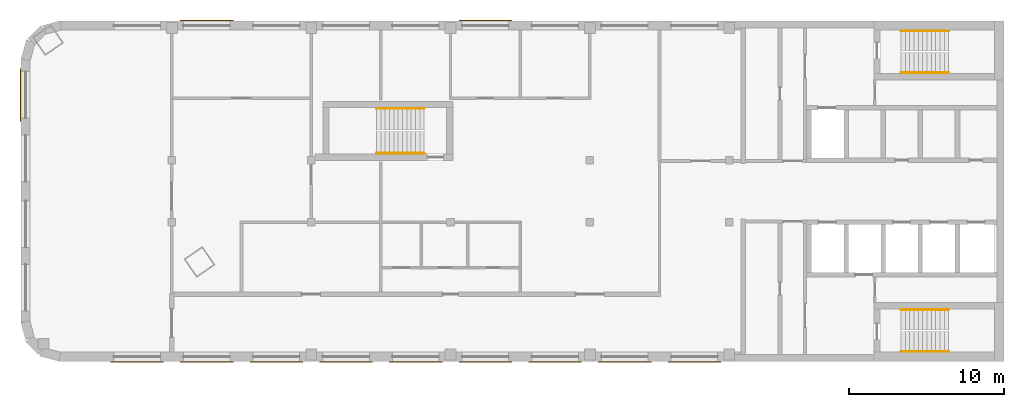
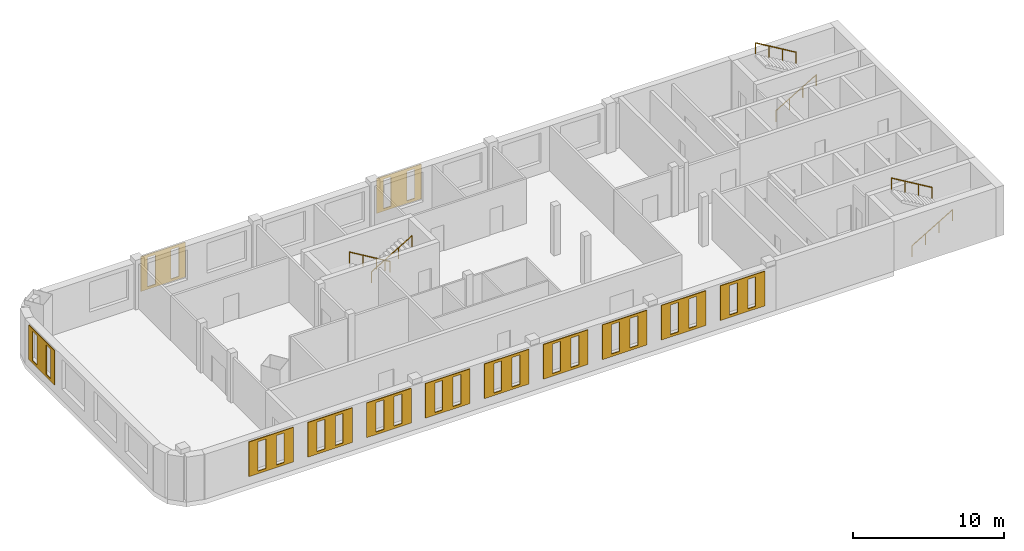
# One storey, part 5 of 5: 12 coverings, 6 railings.
"""IFC4 building model written with IfcOpenShell, lengths in metres."""

from ifc_helpers import new_model, si_unit, direction, frame, origin, origin_2d, place, context, subcontext, project, spatial, polyline, circle, outline, extrude, material, material_profile, profile_set, type_object, element, save


model = new_model("IFC4")

# Units and contexts
model_context = context("Model", 3, precision=1e-05, world=origin(), true_north=direction((0.0, 1.0)))
body_context = subcontext(model_context, "Body", "Model", "MODEL_VIEW")
ifc_project = project(units=[si_unit("LENGTHUNIT", "METRE"), si_unit("AREAUNIT", "SQUARE_METRE"), si_unit("VOLUMEUNIT", "CUBIC_METRE"), si_unit("PLANEANGLEUNIT", "RADIAN"), si_unit("MASSUNIT", "GRAM", prefix="KILO")], contexts=[model_context])

# Site, building, storey
site_placement = place(None, origin())
site = spatial("IfcSite", under=ifc_project, at=site_placement, CompositionType="ELEMENT")
building_placement = place(site_placement, origin())
building = spatial("IfcBuilding", under=site, at=building_placement, Name="Skarvind Civic Tower", CompositionType="ELEMENT")
storey_placement = place(building_placement, frame((0.0, 0.0, 273.5)))
storey = spatial("IfcBuildingStorey", under=building, at=storey_placement, Name="L65", CompositionType="ELEMENT", Elevation=273.5)

# Railings
ifc_material_1 = material(Name="Painted steel handrail", Category="steel")
railing_type = type_object("IfcRailingType", Name="Stair handrail 900", PredefinedType="HANDRAIL", material=ifc_material_1)
railing_1_placement = place(storey_placement, frame((101.35009765625, 135.64990234375, 0.166748046875)))
element("IfcRailing", 1, at=railing_1_placement, inside=storey, type_object=railing_type, Name="Stair handrail", PredefinedType="HANDRAIL", context=body_context, shape_type="SweptSolid", body=[
    extrude(circle(Radius=0.02392578125, at=origin_2d()), frame((0.0, 0.0, 0.8759765625), z_axis=(0.859290745958, 0.0, 0.51148745235), x_axis=(0.0, 1.0, 0.0)), (0.0, 0.0, 1.0), 3.584228515625),
    extrude(circle(Radius=0.02099609375, at=origin_2d()), origin(), (0.0, 0.0, 1.0), 0.851806640625),
    extrude(circle(Radius=0.02099609375, at=origin_2d()), frame((1.026611328125, 0.0, 0.611083984375)), (0.0, 0.0, 1.0), 0.851806640625),
    extrude(circle(Radius=0.02099609375, at=origin_2d()), frame((2.05322265625, 0.0, 1.22216796875)), (0.0, 0.0, 1.0), 0.851806640625),
    extrude(circle(Radius=0.02099609375, at=origin_2d()), frame((3.079833984375, 0.0, 1.833251953125)), (0.0, 0.0, 1.0), 0.851806640625),
])
railing_2_placement = place(storey_placement, frame((104.429931640625, 138.35009765625, 2.166748046875)))
element("IfcRailing", 2, at=railing_2_placement, inside=storey, type_object=railing_type, Name="Stair handrail", PredefinedType="HANDRAIL", context=body_context, shape_type="SweptSolid", body=[
    extrude(circle(Radius=0.02392578125, at=origin_2d()), frame((0.0, 0.0, 0.8759765625), z_axis=(-0.859290745958, 0.0, 0.51148745235), x_axis=(0.0, -1.0, 0.0)), (0.0, 0.0, 1.0), 3.584228515625),
    extrude(circle(Radius=0.02099609375, at=origin_2d()), origin(), (0.0, 0.0, 1.0), 0.851806640625),
    extrude(circle(Radius=0.02099609375, at=origin_2d()), frame((-1.026611328125, 0.0, 0.611083984375)), (0.0, 0.0, 1.0), 0.851806640625),
    extrude(circle(Radius=0.02099609375, at=origin_2d()), frame((-2.05322265625, 0.0, 1.22216796875)), (0.0, 0.0, 1.0), 0.851806640625),
    extrude(circle(Radius=0.02099609375, at=origin_2d()), frame((-3.079833984375, 0.0, 1.833251953125)), (0.0, 0.0, 1.0), 0.851806640625),
])
railing_3_placement = place(storey_placement, frame((101.35009765625, 117.64990234375, 0.166748046875)))
element("IfcRailing", 3, at=railing_3_placement, inside=storey, type_object=railing_type, Name="Stair handrail", PredefinedType="HANDRAIL", context=body_context, shape_type="SweptSolid", body=[
    extrude(circle(Radius=0.02392578125, at=origin_2d()), frame((0.0, 0.0, 0.8759765625), z_axis=(0.859290745958, 0.0, 0.51148745235), x_axis=(0.0, 1.0, 0.0)), (0.0, 0.0, 1.0), 3.584228515625),
    extrude(circle(Radius=0.02099609375, at=origin_2d()), origin(), (0.0, 0.0, 1.0), 0.851806640625),
    extrude(circle(Radius=0.02099609375, at=origin_2d()), frame((1.026611328125, 0.0, 0.611083984375)), (0.0, 0.0, 1.0), 0.851806640625),
    extrude(circle(Radius=0.02099609375, at=origin_2d()), frame((2.05322265625, 0.0, 1.22216796875)), (0.0, 0.0, 1.0), 0.851806640625),
    extrude(circle(Radius=0.02099609375, at=origin_2d()), frame((3.079833984375, 0.0, 1.833251953125)), (0.0, 0.0, 1.0), 0.851806640625),
])
railing_4_placement = place(storey_placement, frame((104.429931640625, 120.35009765625, 2.166748046875)))
element("IfcRailing", 4, at=railing_4_placement, inside=storey, type_object=railing_type, Name="Stair handrail", PredefinedType="HANDRAIL", context=body_context, shape_type="SweptSolid", body=[
    extrude(circle(Radius=0.02392578125, at=origin_2d()), frame((0.0, 0.0, 0.8759765625), z_axis=(-0.859290745958, 0.0, 0.51148745235), x_axis=(0.0, -1.0, 0.0)), (0.0, 0.0, 1.0), 3.584228515625),
    extrude(circle(Radius=0.02099609375, at=origin_2d()), origin(), (0.0, 0.0, 1.0), 0.851806640625),
    extrude(circle(Radius=0.02099609375, at=origin_2d()), frame((-1.026611328125, 0.0, 0.611083984375)), (0.0, 0.0, 1.0), 0.851806640625),
    extrude(circle(Radius=0.02099609375, at=origin_2d()), frame((-2.05322265625, 0.0, 1.22216796875)), (0.0, 0.0, 1.0), 0.851806640625),
    extrude(circle(Radius=0.02099609375, at=origin_2d()), frame((-3.079833984375, 0.0, 1.833251953125)), (0.0, 0.0, 1.0), 0.851806640625),
])
railing_5_placement = place(storey_placement, frame((70.550048828125, 133.35009765625, 0.166748046875)))
element("IfcRailing", 5, at=railing_5_placement, inside=storey, type_object=railing_type, Name="Stair handrail", PredefinedType="HANDRAIL", context=body_context, shape_type="SweptSolid", body=[
    extrude(circle(Radius=0.02392578125, at=origin_2d()), frame((0.0, 0.0, 0.8759765625), z_axis=(-0.859308565015, 0.0, 0.511457515432), x_axis=(0.0, -1.0, 0.0)), (0.0, 0.0, 1.0), 3.58447265625),
    extrude(circle(Radius=0.02099609375, at=origin_2d()), origin(), (0.0, 0.0, 1.0), 0.851806640625),
    extrude(circle(Radius=0.02099609375, at=origin_2d()), frame((-1.026611328125, 0.0, 0.611083984375)), (0.0, 0.0, 1.0), 0.851806640625),
    extrude(circle(Radius=0.02099609375, at=origin_2d()), frame((-2.053466796875, 0.0, 1.22216796875)), (0.0, 0.0, 1.0), 0.851806640625),
    extrude(circle(Radius=0.02099609375, at=origin_2d()), frame((-3.080078125, 0.0, 1.833251953125)), (0.0, 0.0, 1.0), 0.851806640625),
])
railing_6_placement = place(storey_placement, frame((67.469970703125, 130.449951171875, 2.166748046875)))
element("IfcRailing", 6, at=railing_6_placement, inside=storey, type_object=railing_type, Name="Stair handrail", PredefinedType="HANDRAIL", context=body_context, shape_type="SweptSolid", body=[
    extrude(circle(Radius=0.02392578125, at=origin_2d()), frame((0.0, 0.0, 0.8759765625), z_axis=(0.859308565015, 0.0, 0.511457515432), x_axis=(0.0, 1.0, 0.0)), (0.0, 0.0, 1.0), 3.58447265625),
    extrude(circle(Radius=0.02099609375, at=origin_2d()), origin(), (0.0, 0.0, 1.0), 0.851806640625),
    extrude(circle(Radius=0.02099609375, at=origin_2d()), frame((1.026611328125, 0.0, 0.611083984375)), (0.0, 0.0, 1.0), 0.851806640625),
    extrude(circle(Radius=0.02099609375, at=origin_2d()), frame((2.053466796875, 0.0, 1.22216796875)), (0.0, 0.0, 1.0), 0.851806640625),
    extrude(circle(Radius=0.02099609375, at=origin_2d()), frame((3.080078125, 0.0, 1.833251953125)), (0.0, 0.0, 1.0), 0.851806640625),
])

# Coverings
ifc_material_2 = material(Name="Terracotta", Category="masonry")
ifc_material_profile_1 = material_profile(ifc_material_2, outline(polyline([(-1.699951171875, -1.39990234375), (1.699951171875, -1.39990234375), (1.699951171875, 1.39990234375), (-1.699951171875, 1.39990234375), (-1.699951171875, -1.39990234375)]), holes=[polyline([(-1.0, -1.18994140625), (-0.39990234375, -1.18994140625), (-0.39990234375, 1.18994140625), (-1.0, 1.18994140625), (-1.0, -1.18994140625)]), polyline([(0.39990234375, -1.18994140625), (1.0, -1.18994140625), (1.0, 1.18994140625), (0.39990234375, 1.18994140625), (0.39990234375, -1.18994140625)])]), Name="TERRACOTTA SCREEN 3400 x 2800, SLIT PITCH 1400")
ifc_profile_set_1 = profile_set([ifc_material_profile_1], Name="Terracotta")
covering_type_1 = type_object("IfcCoveringType", Name="TERRACOTTA SCREEN 3400 x 2800, SLIT PITCH 1400", PredefinedType="CLADDING", material=ifc_profile_set_1)
for number, where, z_axis, x_axis, name in (
    (7, (88.0, 117.0, 2.10009765625), (0.0, -1.0, 0.0), (1.0, 0.0, 0.0), "TERRACOTTA SCREEN"),
    (8, (83.5, 117.0, 2.10009765625), (0.0, -1.0, 0.0), (1.0, 0.0, 0.0), "TERRACOTTA SCREEN"),
    (9, (79.0, 117.0, 2.10009765625), (0.0, -1.0, 0.0), (1.0, 0.0, 0.0), "TERRACOTTA SCREEN"),
    (10, (74.5, 117.0, 2.10009765625), (0.0, -1.0, 0.0), (1.0, 0.0, 0.0), "TERRACOTTA SCREEN"),
    (11, (70.0, 117.0, 2.10009765625), (0.0, -1.0, 0.0), (1.0, 0.0, 0.0), "TERRACOTTA SCREEN"),
    (12, (65.5, 117.0, 2.10009765625), (0.0, -1.0, 0.0), (1.0, 0.0, 0.0), "TERRACOTTA SCREEN"),
    (13, (61.0, 117.0, 2.10009765625), (0.0, -1.0, 0.0), (1.0, 0.0, 0.0), "TERRACOTTA SCREEN"),
    (14, (56.5, 117.0, 2.10009765625), (0.0, -1.0, 0.0), (1.0, 0.0, 0.0), "TERRACOTTA SCREEN"),
    (15, (52.0, 117.0, 2.10009765625), (0.0, -1.0, 0.0), (1.0, 0.0, 0.0), "TERRACOTTA SCREEN"),
):
    element("IfcCovering", number, at=place(storey_placement, frame(where, z_axis=z_axis, x_axis=x_axis)), inside=storey, type_object=covering_type_1, Name=name, PredefinedType="CLADDING", context=body_context, shape_type="SweptSolid", body=[
        extrude(outline(polyline([(-1.699951171875, -1.39990234375), (1.699951171875, -1.39990234375), (1.699951171875, 1.39990234375), (-1.699951171875, 1.39990234375), (-1.699951171875, -1.39990234375)]), holes=[polyline([(-1.0, -1.18994140625), (-0.39990234375, -1.18994140625), (-0.39990234375, 1.18994140625), (-1.0, 1.18994140625), (-1.0, -1.18994140625)]), polyline([(0.39990234375, -1.18994140625), (1.0, -1.18994140625), (1.0, 1.18994140625), (0.39990234375, 1.18994140625), (0.39990234375, -1.18994140625)])]), origin(), (0.0, 0.0, 1.0), 0.06005859375),
    ])
ifc_material_profile_2 = material_profile(ifc_material_2, outline(polyline([(-1.699951171875, -1.39990234375), (1.699951171875, -1.39990234375), (1.699951171875, 1.39990234375), (-1.699951171875, 1.39990234375), (-1.699951171875, -1.39990234375)]), holes=[polyline([(-1.199951171875, -1.18994140625), (-0.60009765625, -1.18994140625), (-0.60009765625, 1.18994140625), (-1.199951171875, 1.18994140625), (-1.199951171875, -1.18994140625)]), polyline([(0.60009765625, -1.18994140625), (1.199951171875, -1.18994140625), (1.199951171875, 1.18994140625), (0.60009765625, 1.18994140625), (0.60009765625, -1.18994140625)])]), Name="TERRACOTTA SCREEN 3400 x 2800, SLIT PITCH 1800")
ifc_profile_set_2 = profile_set([ifc_material_profile_2], Name="Terracotta")
covering_type_2 = type_object("IfcCoveringType", Name="TERRACOTTA SCREEN 3400 x 2800, SLIT PITCH 1800", PredefinedType="CLADDING", material=ifc_profile_set_2)
for number, where, z_axis, x_axis, name in (
    (16, (56.5, 139.0, 2.10009765625), (0.0, 1.0, 0.0), (-1.0, 0.0, 0.0), "TERRACOTTA SCREEN"),
    (17, (74.5, 139.0, 2.10009765625), (0.0, 1.0, 0.0), (-1.0, 0.0, 0.0), "TERRACOTTA SCREEN"),
    (18, (44.5, 134.22509765625, 2.10009765625), (-1.0, 0.0, 0.0), (0.0, -1.0, 0.0), "TERRACOTTA SCREEN"),
):
    element("IfcCovering", number, at=place(storey_placement, frame(where, z_axis=z_axis, x_axis=x_axis)), inside=storey, type_object=covering_type_2, Name=name, PredefinedType="CLADDING", context=body_context, shape_type="SweptSolid", body=[
        extrude(outline(polyline([(-1.699951171875, -1.39990234375), (1.699951171875, -1.39990234375), (1.699951171875, 1.39990234375), (-1.699951171875, 1.39990234375), (-1.699951171875, -1.39990234375)]), holes=[polyline([(-1.199951171875, -1.18994140625), (-0.60009765625, -1.18994140625), (-0.60009765625, 1.18994140625), (-1.199951171875, 1.18994140625), (-1.199951171875, -1.18994140625)]), polyline([(0.60009765625, -1.18994140625), (1.199951171875, -1.18994140625), (1.199951171875, 1.18994140625), (0.60009765625, 1.18994140625), (0.60009765625, -1.18994140625)])]), origin(), (0.0, 0.0, 1.0), 0.06005859375),
    ])

save(model, "model.ifc")
